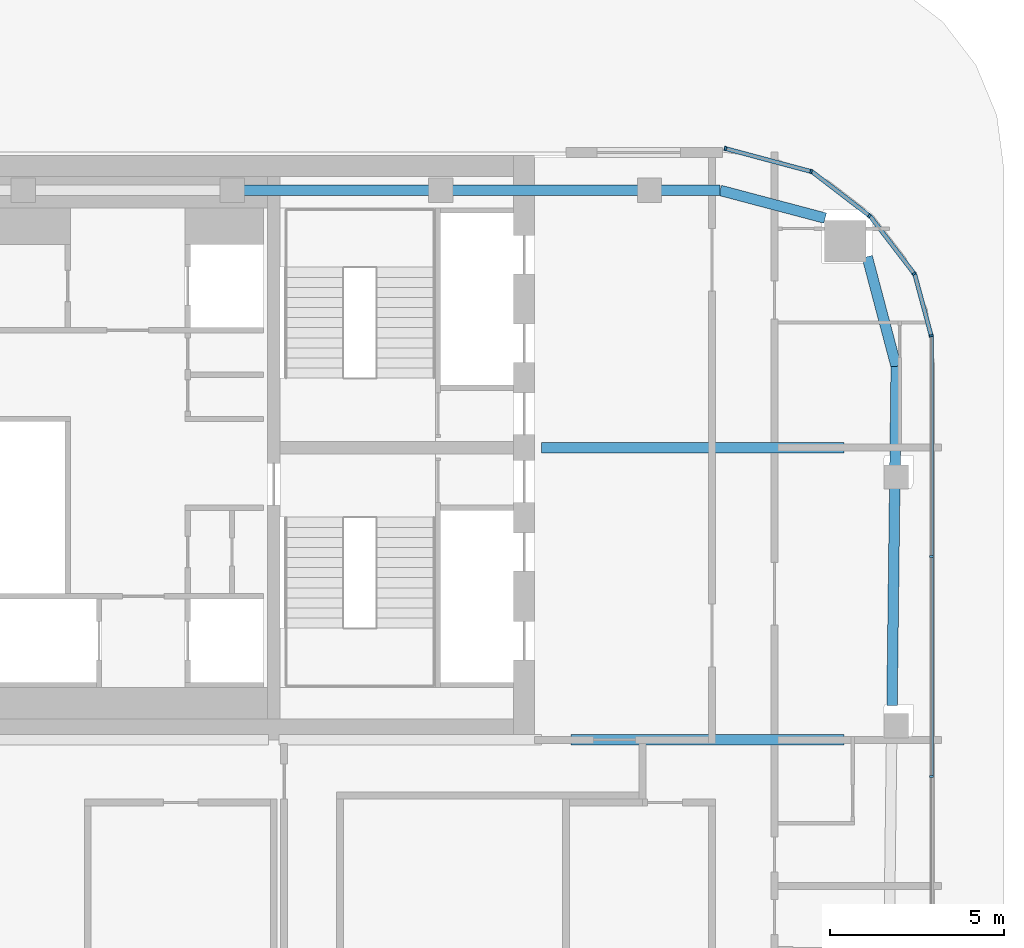
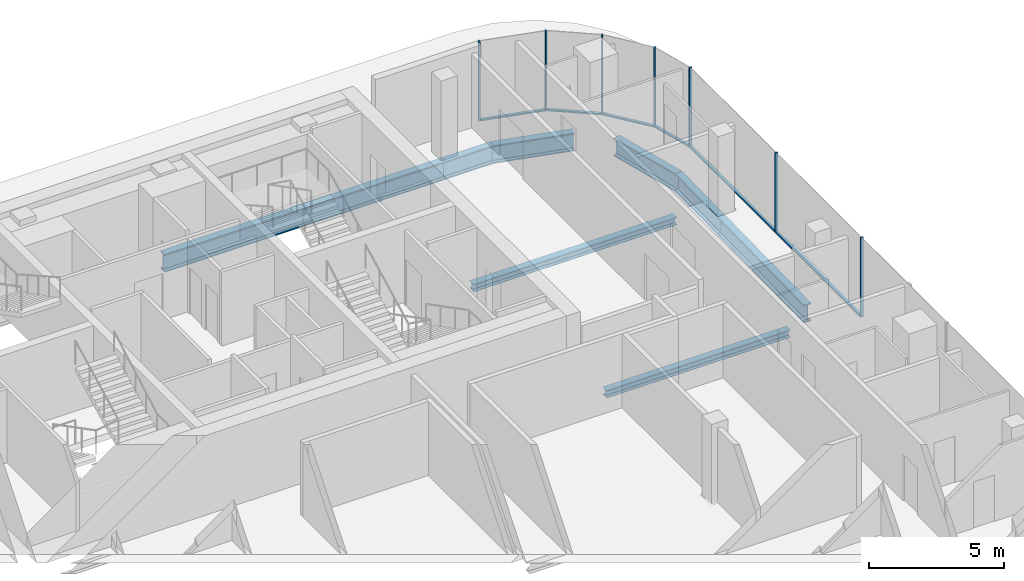
# One storey, part 11 of 21: 13 members, 9 beams, 5 elements without a shape of their own.
"""IFC4 building model written with IfcOpenShell, lengths in metres."""

import ifcopenshell
import ifcopenshell.guid

model = None  # the IFC model being written
_history = None  # IfcOwnerHistory: only IFC2X3 demands one
_inside = {}  # id of a spatial element -> (the spatial element, [elements in it])
_under = {}  # id of a project, library or spatial element -> (it, [spatial elements below it])
_declared = {}  # id of a project -> (the project, [libraries it declares])
_typed = {}  # id of a type object -> (the type object, [elements of that type])
_made_of = {}  # id of a material, layer set ... -> (it, [elements and type objects made of it])


def new_model(schema):
    """Start an empty IFC model of exactly this schema.

    Asked for "IFC4X3", IfcOpenShell would pick the latest addendum, in which some entities
    have other attributes; the version numbers below select the first issue.
    IFC2X3 requires an IfcOwnerHistory on every rooted entity: one is made here for all.
    """
    global model, _history
    if schema == "IFC4X3":
        model = ifcopenshell.file(schema_version=(4, 3, 0, 0))
    else:
        model = ifcopenshell.file(schema=schema)
    _inside.clear()
    _under.clear()
    _declared.clear()
    _typed.clear()
    _made_of.clear()
    _history = None
    if model.schema == "IFC2X3":
        org = make("IfcOrganization", Name="unknown")
        user = make(
            "IfcPersonAndOrganization",
            ThePerson=make("IfcPerson", FamilyName="unknown"),
            TheOrganization=org,
        )
        app = make(
            "IfcApplication",
            ApplicationDeveloper=org,
            Version="unknown",
            ApplicationFullName="unknown",
            ApplicationIdentifier="unknown",
        )
        _history = make(
            "IfcOwnerHistory",
            OwningUser=user,
            OwningApplication=app,
            ChangeAction="ADDED",
            CreationDate=0,
        )
    return model


def make(cls, **values):
    """One entity of the class cls with the attributes given. An attribute that is None is left unset."""
    return model.create_entity(
        cls, **{name: value for name, value in values.items() if value is not None}
    )


def rooted(cls, **values):
    """An entity with a GlobalId (a new one), such as an element, a storey or a relation."""
    return make(cls, GlobalId=ifcopenshell.guid.new(), OwnerHistory=_history, **values)


def si_unit(unit_type, name, prefix=None):
    """IfcSIUnit, for example si_unit("LENGTHUNIT", "METRE", prefix="MILLI")."""
    return make("IfcSIUnit", UnitType=unit_type, Prefix=prefix, Name=name)


def assignment(units):
    """IfcUnitAssignment: the units of a project."""
    return None if units is None else make("IfcUnitAssignment", Units=units)


def point(xyz):
    """IfcCartesianPoint."""
    return None if xyz is None else make("IfcCartesianPoint", Coordinates=xyz)


def direction(xyz):
    """IfcDirection."""
    return None if xyz is None else make("IfcDirection", DirectionRatios=xyz)


def frame(location, z_axis=None, x_axis=None):
    """IfcAxis2Placement3D, a coordinate frame: its origin and axes. An axis left out is left unset."""
    return make(
        "IfcAxis2Placement3D",
        Location=point(location),
        Axis=direction(z_axis),
        RefDirection=direction(x_axis),
    )


def frame_2d(location, x_axis=None):
    """IfcAxis2Placement2D, a coordinate frame in the plane: its origin and x axis."""
    return make(
        "IfcAxis2Placement2D", Location=point(location), RefDirection=direction(x_axis)
    )


def origin():
    """The frame at (0, 0, 0) with its axes left unset."""
    return frame((0.0, 0.0, 0.0))


def origin_2d():
    """The frame at (0, 0) in the plane with its x axis left unset."""
    return frame_2d((0.0, 0.0))


def place(relative_to, where):
    """IfcLocalPlacement: puts the frame where relative to a parent placement (None: the world)."""
    return make(
        "IfcLocalPlacement", PlacementRelTo=relative_to, RelativePlacement=where
    )


def context(
    kind, dimensions, precision=None, world=None, true_north=None, identifier=None
):
    """IfcGeometricRepresentationContext, for example the 3D "Model" context."""
    return make(
        "IfcGeometricRepresentationContext",
        ContextIdentifier=identifier,
        ContextType=kind,
        CoordinateSpaceDimension=dimensions,
        Precision=precision,
        WorldCoordinateSystem=world,
        TrueNorth=true_north,
    )


def subcontext(parent, identifier, kind, view, scale=None):
    """IfcGeometricRepresentationSubContext, for example "Body" below "Model"."""
    return make(
        "IfcGeometricRepresentationSubContext",
        ContextIdentifier=identifier,
        ContextType=kind,
        ParentContext=parent,
        TargetScale=scale,
        TargetView=view,
    )


def project(units=None, contexts=None):
    """IfcProject with its units and contexts."""
    return rooted(
        "IfcProject",
        Name="project",
        RepresentationContexts=contexts,
        UnitsInContext=assignment(units),
    )


def spatial(cls, under=None, at=None, **own):
    """A site, building, storey or space (cls), placed at a placement, below another one or the project."""
    s = rooted(cls, ObjectPlacement=at, **own)
    if under is not None:
        _under.setdefault(under.id(), (under, []))[1].append(s)
    return s


def profile(cls, at=None, kind="AREA", **sizes):
    """A parametric profile (cls). Its sizes go by their IFC names, for example OverallWidth=200.0."""
    return make(cls, ProfileType=kind, Position=at, **sizes)


def rectangle(**sizes):
    """IfcRectangleProfileDef."""
    return profile("IfcRectangleProfileDef", **sizes)


def i_section(**sizes):
    """IfcIShapeProfileDef."""
    return profile("IfcIShapeProfileDef", **sizes)


def extrude(swept, where, along, depth):
    """IfcExtrudedAreaSolid: the profile swept, set in the frame where, extruded along a direction by depth."""
    return make(
        "IfcExtrudedAreaSolid",
        SweptArea=swept,
        Position=where,
        ExtrudedDirection=direction(along),
        Depth=depth,
    )


def shape(context_of_items, identifier, shape_type, items):
    """IfcShapeRepresentation: the items that make up one representation, for example the "Body"."""
    return make(
        "IfcShapeRepresentation",
        ContextOfItems=context_of_items,
        RepresentationIdentifier=identifier,
        RepresentationType=shape_type,
        Items=items,
    )


def material(Name=None, Category=None):
    """IfcMaterial."""
    return make("IfcMaterial", Name=Name, Category=Category)


def layer(
    of_material, thickness, ventilated=None, Name=None, Category=None, Priority=None
):
    """IfcMaterialLayer: one layer of a wall or slab, of a material (None: an air gap)."""
    return make(
        "IfcMaterialLayer",
        Material=of_material,
        LayerThickness=thickness,
        IsVentilated=ventilated,
        Name=Name,
        Category=Category,
        Priority=Priority,
    )


def layer_set(layers, Name=None):
    """IfcMaterialLayerSet."""
    return make("IfcMaterialLayerSet", MaterialLayers=layers, LayerSetName=Name)


def material_profile(
    of_material, cross_section, Name=None, Category=None, Priority=None
):
    """IfcMaterialProfile: a cross section and its material."""
    return make(
        "IfcMaterialProfile",
        Name=Name,
        Material=of_material,
        Profile=cross_section,
        Priority=Priority,
        Category=Category,
    )


def profile_set(profiles, Name=None, composite=None):
    """IfcMaterialProfileSet."""
    return make(
        "IfcMaterialProfileSet",
        Name=Name,
        MaterialProfiles=profiles,
        CompositeProfile=composite,
    )


def made_of(thing, what):
    """Note that an element or type object is made of a material, layer set ...; save() writes the relation."""
    if what is not None:
        _made_of.setdefault(what.id(), (what, []))[1].append(thing)
    return thing


def type_object(cls, material=None, **own):
    """A type object (cls), such as IfcWallType, which elements share."""
    return made_of(rooted(cls, **own), material)


def element(
    cls,
    number,
    at=None,
    inside=None,
    cuts=None,
    type_object=None,
    material=None,
    context=None,
    identifier="Body",
    shape_type=None,
    held_by="IfcProductDefinitionShape",
    body=None,
    shapes=None,
    **own,
):
    """One element of the class cls, such as IfcWall. Its Tag is "e" and its number.

    at: its placement. inside: the storey or other place that contains it. cuts: it is an
    opening in that element (IfcRelVoidsElement). A single representation is given by context,
    identifier, shape_type and body (its items); several are given by shapes. held_by: the class
    of the entity that holds the representations. save() writes the other relations.
    """
    e = rooted(cls, Tag="e%d" % number, ObjectPlacement=at, **own)
    if body is not None:
        shapes = [shape(context, identifier, shape_type, body)]
    if shapes is not None:
        e.Representation = make(held_by, Representations=shapes)
    if inside is not None:
        _inside.setdefault(inside.id(), (inside, []))[1].append(e)
    if cuts is not None:
        rooted(
            "IfcRelVoidsElement", RelatingBuildingElement=cuts, RelatedOpeningElement=e
        )
    if type_object is not None:
        _typed.setdefault(type_object.id(), (type_object, []))[1].append(e)
    return made_of(e, material)


def aggregate(whole, parts):
    """IfcRelAggregates: a whole, such as a stair, and the parts it consists of."""
    return rooted("IfcRelAggregates", RelatingObject=whole, RelatedObjects=parts)


def save(model, path):
    """Write the relations noted so far, then the file.

    IfcRelAggregates (storeys below a building ...), IfcRelContainedInSpatialStructure (elements
    in a storey), IfcRelDefinesByType, IfcRelAssociatesMaterial and IfcRelDeclares: one each for
    every whole, place, type object, material and project.
    """
    for whole, parts in _under.values():
        aggregate(whole, parts)
    for where, things in _inside.values():
        rooted(
            "IfcRelContainedInSpatialStructure",
            RelatedElements=things,
            RelatingStructure=where,
        )
    for kind, things in _typed.values():
        rooted("IfcRelDefinesByType", RelatedObjects=things, RelatingType=kind)
    for what, things in _made_of.values():
        rooted("IfcRelAssociatesMaterial", RelatedObjects=things, RelatingMaterial=what)
    for by, libraries in _declared.values():
        rooted("IfcRelDeclares", RelatingContext=by, RelatedDefinitions=libraries)
    model.write(path)


model = new_model("IFC4")

# Units and contexts
model_context = context("Model", 3, precision=1e-05, world=origin(), true_north=direction((0.0, 1.0)))
body_context = subcontext(model_context, "Body", "Model", "MODEL_VIEW")
ifc_project = project(units=[si_unit("LENGTHUNIT", "METRE"), si_unit("AREAUNIT", "SQUARE_METRE"), si_unit("VOLUMEUNIT", "CUBIC_METRE"), si_unit("PLANEANGLEUNIT", "RADIAN"), si_unit("MASSUNIT", "GRAM", prefix="KILO")], contexts=[model_context])

# Site, building, storey
site_placement = place(None, origin())
site = spatial("IfcSite", under=ifc_project, at=site_placement, CompositionType="ELEMENT")
building_placement = place(site_placement, origin())
building = spatial("IfcBuilding", under=site, at=building_placement, Name="Marenta Gate Hotel Tower", CompositionType="ELEMENT")
storey_placement = place(building_placement, frame((0.0, 0.0, 266.89990234375)))
storey = spatial("IfcBuildingStorey", under=building, at=storey_placement, Name="L61", CompositionType="ELEMENT", Elevation=266.89990234375)

# Beams
ifc_material_1 = material(Name="Steel S355", Category="steel")
ifc_material_profile_1 = material_profile(ifc_material_1, i_section(OverallWidth=0.302978515625, OverallDepth=0.81396484375, WebThickness=0.030029296875, FlangeThickness=0.052001953125, FilletRadius=0.030029296875, at=origin_2d()), Name="HEM 800")
ifc_profile_set_1 = profile_set([ifc_material_profile_1], Name="Steel S355")
beam_type_1 = type_object("IfcBeamType", Name="Edge beam HEM 800", PredefinedType="SPANDREL", material=ifc_profile_set_1)
for number, where, z_axis, x_axis, name in (
    (1, (2.96142578125, 15.800048828125, -0.6669921875), (1.0, 0.0, 0.0), (0.0, 1.0, 0.0), "L61-EB-17"),
    (2, (8.964111328125, 15.800048828125, -0.6669921875), (1.0, 0.0, 0.0), (0.0, 1.0, 0.0), "L61-EB-18"),
):
    element("IfcBeam", number, at=place(storey_placement, frame(where, z_axis=z_axis, x_axis=x_axis)), inside=storey, type_object=beam_type_1, Name=name, PredefinedType="SPANDREL", context=body_context, shape_type="SweptSolid", body=[
        extrude(i_section(OverallWidth=0.302978515625, OverallDepth=0.81396484375, WebThickness=0.030029296875, FlangeThickness=0.052001953125, FilletRadius=0.030029296875, at=origin_2d()), origin(), (0.0, 0.0, 1.0), 6.082763671875),
    ])
beam_1_placement = place(storey_placement, frame((14.966796875, 15.800048828125, -0.6669921875), z_axis=(1.0, 0.0, 0.0), x_axis=(0.0, 1.0, 0.0)))
element("IfcBeam", 3, at=beam_1_placement, inside=storey, type_object=beam_type_1, Name="L61-EB-19", PredefinedType="SPANDREL", context=body_context, shape_type="SweptSolid", body=[
    extrude(i_section(OverallWidth=0.302978515625, OverallDepth=0.81396484375, WebThickness=0.030029296875, FlangeThickness=0.052001953125, FilletRadius=0.030029296875, at=origin_2d()), origin(), (0.0, 0.0, 1.0), 2.067626953125),
])
beam_2_placement = place(storey_placement, frame((17.034423828125, 15.800048828125, -0.6669921875), z_axis=(0.96676317432, -0.255673551192, 0.0), x_axis=(0.255673551192, 0.96676317432, 0.0)))
element("IfcBeam", 4, at=beam_2_placement, inside=storey, type_object=beam_type_1, Name="L61-EB-20", PredefinedType="SPANDREL", context=body_context, shape_type="SweptSolid", body=[
    extrude(i_section(OverallWidth=0.302978515625, OverallDepth=0.81396484375, WebThickness=0.030029296875, FlangeThickness=0.052001953125, FilletRadius=0.030029296875, at=origin_2d()), origin(), (0.0, 0.0, 1.0), 3.125244140625),
])
beam_3_placement = place(storey_placement, frame((21.26513671875, 13.891845703125, -0.6669921875), z_axis=(0.255652161273, -0.966768830919, 0.0), x_axis=(0.966768830919, 0.255652161273, 0.0)))
element("IfcBeam", 5, at=beam_3_placement, inside=storey, type_object=beam_type_1, Name="L61-EB-21", PredefinedType="SPANDREL", context=body_context, shape_type="SweptSolid", body=[
    extrude(i_section(OverallWidth=0.302978515625, OverallDepth=0.81396484375, WebThickness=0.030029296875, FlangeThickness=0.052001953125, FilletRadius=0.030029296875, at=origin_2d()), origin(), (0.0, 0.0, 1.0), 3.26611328125),
])
beam_4_placement = place(storey_placement, frame((22.10009765625, 10.734375, -0.6669921875), z_axis=(-0.01236721559, -0.999923523065, 0.0), x_axis=(0.999923523065, -0.01236721559, 0.0)))
element("IfcBeam", 6, at=beam_4_placement, inside=storey, type_object=beam_type_1, Name="L61-EB-22", PredefinedType="SPANDREL", context=body_context, shape_type="SweptSolid", body=[
    extrude(i_section(OverallWidth=0.302978515625, OverallDepth=0.81396484375, WebThickness=0.030029296875, FlangeThickness=0.052001953125, FilletRadius=0.030029296875, at=origin_2d()), origin(), (0.0, 0.0, 1.0), 3.2177734375),
])
beam_5_placement = place(storey_placement, frame((22.061279296875, 7.596923828125, -0.6669921875), z_axis=(-0.012361135297, -0.999923598248, 0.0), x_axis=(0.999923598248, -0.012361135297, 0.0)))
element("IfcBeam", 7, at=beam_5_placement, inside=storey, type_object=beam_type_1, Name="L61-EB-23", PredefinedType="SPANDREL", context=body_context, shape_type="SweptSolid", body=[
    extrude(i_section(OverallWidth=0.302978515625, OverallDepth=0.81396484375, WebThickness=0.030029296875, FlangeThickness=0.052001953125, FilletRadius=0.030029296875, at=origin_2d()), origin(), (0.0, 0.0, 1.0), 6.616455078125),
])
ifc_material_2 = material(Name="Steel S355", Category="steel")
ifc_material_profile_2 = material_profile(ifc_material_2, i_section(OverallWidth=0.300048828125, OverallDepth=0.340087890625, WebThickness=0.011962890625, FlangeThickness=0.021484375, FilletRadius=0.027099609375, at=origin_2d()), Name="HEB 340")
ifc_profile_set_2 = profile_set([ifc_material_profile_2], Name="Steel S355")
beam_type_2 = type_object("IfcBeamType", Name="Girder HEB 340", PredefinedType="BEAM", material=ifc_profile_set_2)
beam_6_placement = place(storey_placement, frame((12.75146484375, 0.0, -0.429931640625), z_axis=(1.0, 0.0, 0.0), x_axis=(0.0, 1.0, 0.0)))
element("IfcBeam", 8, at=beam_6_placement, inside=storey, type_object=beam_type_2, Name="L61-GD-21", PredefinedType="BEAM", context=body_context, shape_type="SweptSolid", body=[
    extrude(i_section(OverallWidth=0.300048828125, OverallDepth=0.340087890625, WebThickness=0.011962890625, FlangeThickness=0.021484375, FilletRadius=0.027099609375, at=origin_2d()), origin(), (0.0, 0.0, 1.0), 7.8486328125),
])
beam_7_placement = place(storey_placement, frame((11.89990234375, 8.39990234375, -0.429931640625), z_axis=(1.0, 0.0, 0.0), x_axis=(0.0, 1.0, 0.0)))
element("IfcBeam", 9, at=beam_7_placement, inside=storey, type_object=beam_type_2, Name="L61-GD-23", PredefinedType="BEAM", context=body_context, shape_type="SweptSolid", body=[
    extrude(i_section(OverallWidth=0.300048828125, OverallDepth=0.340087890625, WebThickness=0.011962890625, FlangeThickness=0.021484375, FilletRadius=0.027099609375, at=origin_2d()), origin(), (0.0, 0.0, 1.0), 8.7001953125),
])

# Curtain wall, members
ifc_material_3 = material(Name="Tinted insulated glass in bronze anodised frame", Category="glass")
ifc_layer = layer(ifc_material_3, 0.1201171875)
ifc_layer_set = layer_set([ifc_layer], Name="Tinted insulated glass in bronze anodised frame")
curtain_wall_type = type_object("IfcCurtainWallType", Name="Tower unitised curtain wall CW1", PredefinedType="NOTDEFINED", material=ifc_layer_set)
curtain_wall_1_placement = place(storey_placement, origin())
curtain_wall_1 = element("IfcCurtainWall", 10, at=curtain_wall_1_placement, inside=storey, type_object=curtain_wall_type, Name="CW1 run G11", PredefinedType="NOTDEFINED")
ifc_material_4 = material(Name="Bronze anodised aluminium", Category="aluminium")
ifc_material_profile_3 = material_profile(ifc_material_4, rectangle(XDim=0.1201171875, YDim=0.06005859375, at=origin_2d()), Name="Mullion CW1 60x120 bronze anodised aluminium")
ifc_profile_set_3 = profile_set([ifc_material_profile_3], Name="Bronze anodised aluminium")
member_type_1 = type_object("IfcMemberType", Name="Mullion CW1 60x120 bronze anodised aluminium", PredefinedType="MULLION", material=ifc_profile_set_3)
member_1_placement = place(storey_placement, frame((23.114013671875, -1.053466796875, 0.0), z_axis=(0.0, 0.0, 1.0), x_axis=(-1.0, 0.0, 0.0)))
member_1 = element("IfcMember", 11, at=member_1_placement, type_object=member_type_1, Name="CW1 mullion 5", PredefinedType="MULLION", context=body_context, shape_type="SweptSolid", body=[
    extrude(rectangle(XDim=0.1201171875, YDim=0.06005859375, at=origin_2d()), origin(), (0.0, 0.0, 1.0), 3.60009765625),
])
member_2_placement = place(storey_placement, frame((23.114013671875, 5.269287109375, 0.0), z_axis=(0.0, 0.0, 1.0), x_axis=(-1.0, 0.0, 0.0)))
member_2 = element("IfcMember", 12, at=member_2_placement, type_object=member_type_1, Name="CW1 mullion 6", PredefinedType="MULLION", context=body_context, shape_type="SweptSolid", body=[
    extrude(rectangle(XDim=0.1201171875, YDim=0.06005859375, at=origin_2d()), origin(), (0.0, 0.0, 1.0), 3.60009765625),
])

# Curtain wall, member
curtain_wall_2_placement = place(storey_placement, origin())
curtain_wall_2 = element("IfcCurtainWall", 13, at=curtain_wall_2_placement, inside=storey, type_object=curtain_wall_type, Name="CW1 run G12", PredefinedType="NOTDEFINED")
member_3_placement = place(storey_placement, frame((23.106201171875, 11.620849609375, 0.0), z_axis=(0.0, 0.0, 1.0), x_axis=(-0.965924453932, -0.258824166754, 0.0)))
member_3 = element("IfcMember", 14, at=member_3_placement, type_object=member_type_1, Name="CW1 mullion 1", PredefinedType="MULLION", context=body_context, shape_type="SweptSolid", body=[
    extrude(rectangle(XDim=0.1201171875, YDim=0.06005859375, at=origin_2d()), origin(), (0.0, 0.0, 1.0), 3.60009765625),
])

curtain_wall_3_placement = place(storey_placement, origin())
curtain_wall_3 = element("IfcCurtainWall", 15, at=curtain_wall_3_placement, inside=storey, type_object=curtain_wall_type, Name="CW1 run G13", PredefinedType="NOTDEFINED")
member_4_placement = place(storey_placement, frame((22.615966796875, 13.40625, 0.0), z_axis=(0.0, 0.0, 1.0), x_axis=(-0.793333335233, -0.608787499222, 0.0)))
member_4 = element("IfcMember", 16, at=member_4_placement, type_object=member_type_1, Name="CW1 mullion 1", PredefinedType="MULLION", context=body_context, shape_type="SweptSolid", body=[
    extrude(rectangle(XDim=0.1201171875, YDim=0.06005859375, at=origin_2d()), origin(), (0.0, 0.0, 1.0), 3.60009765625),
])

curtain_wall_4_placement = place(storey_placement, origin())
curtain_wall_4 = element("IfcCurtainWall", 17, at=curtain_wall_4_placement, inside=storey, type_object=curtain_wall_type, Name="CW1 run G14", PredefinedType="NOTDEFINED")
member_5_placement = place(storey_placement, frame((21.328857421875, 15.07080078125, 0.0), z_axis=(0.0, 0.0, 1.0), x_axis=(-0.608787499222, -0.793333335233, 0.0)))
member_5 = element("IfcMember", 18, at=member_5_placement, type_object=member_type_1, Name="CW1 mullion 1", PredefinedType="MULLION", context=body_context, shape_type="SweptSolid", body=[
    extrude(rectangle(XDim=0.1201171875, YDim=0.06005859375, at=origin_2d()), origin(), (0.0, 0.0, 1.0), 3.60009765625),
])

# Curtain wall, members
curtain_wall_5_placement = place(storey_placement, origin())
curtain_wall_5 = element("IfcCurtainWall", 19, at=curtain_wall_5_placement, inside=storey, type_object=curtain_wall_type, Name="CW1 run G15", PredefinedType="NOTDEFINED")
member_6_placement = place(storey_placement, frame((19.653564453125, 16.342041015625, 0.0), z_axis=(0.0, 0.0, 1.0), x_axis=(-0.258804895175, -0.96592961764, 0.0)))
member_6 = element("IfcMember", 20, at=member_6_placement, type_object=member_type_1, Name="CW1 mullion 1", PredefinedType="MULLION", context=body_context, shape_type="SweptSolid", body=[
    extrude(rectangle(XDim=0.1201171875, YDim=0.06005859375, at=origin_2d()), origin(), (0.0, 0.0, 1.0), 3.60009765625),
])
member_7_placement = place(storey_placement, frame((17.185546875, 17.003173828125, 0.0), z_axis=(0.0, 0.0, 1.0), x_axis=(-0.258804895175, -0.96592961764, 0.0)))
member_7 = element("IfcMember", 21, at=member_7_placement, type_object=member_type_1, Name="CW1 mullion 2", PredefinedType="MULLION", context=body_context, shape_type="SweptSolid", body=[
    extrude(rectangle(XDim=0.1201171875, YDim=0.06005859375, at=origin_2d()), origin(), (0.0, 0.0, 1.0), 3.60009765625),
])

# Member
ifc_material_5 = material(Name="Bronze anodised aluminium", Category="aluminium")
ifc_material_profile_4 = material_profile(ifc_material_5, rectangle(XDim=0.1201171875, YDim=0.06005859375, at=origin_2d()), Name="Transom CW1 60x120 bronze anodised aluminium")
ifc_profile_set_4 = profile_set([ifc_material_profile_4], Name="Bronze anodised aluminium")
member_type_2 = type_object("IfcMemberType", Name="Transom CW1 60x120 bronze anodised aluminium", PredefinedType="USERDEFINED", material=ifc_profile_set_4)
member_8_placement = place(storey_placement, frame((23.114013671875, -1.0234375, 0.030029296875), z_axis=(0.0, 1.0, 0.0), x_axis=(-1.0, 0.0, 0.0)))
member_8 = element("IfcMember", 22, at=member_8_placement, type_object=member_type_2, Name="CW1 transom 5.1", ObjectType="TRANSOM", PredefinedType="USERDEFINED", context=body_context, shape_type="SweptSolid", body=[
    extrude(rectangle(XDim=0.1201171875, YDim=0.06005859375, at=origin_2d()), origin(), (0.0, 0.0, 1.0), 6.2626953125),
])

member_9_placement = place(storey_placement, frame((23.114013671875, 5.29931640625, 0.030029296875), z_axis=(0.0, 1.0, 0.0), x_axis=(-1.0, 0.0, 0.0)))
member_9 = element("IfcMember", 23, at=member_9_placement, type_object=member_type_2, Name="CW1 transom 6.1", ObjectType="TRANSOM", PredefinedType="USERDEFINED", context=body_context, shape_type="SweptSolid", body=[
    extrude(rectangle(XDim=0.1201171875, YDim=0.06005859375, at=origin_2d()), origin(), (0.0, 0.0, 1.0), 6.29248046875),
])

aggregate(curtain_wall_1, [member_1, member_2, member_8, member_9])

member_10_placement = place(storey_placement, frame((23.098388671875, 11.64990234375, 0.030029296875), z_axis=(-0.258738352989, 0.965947444063, 0.0), x_axis=(-0.965947444063, -0.258738352989, 0.0)))
member_10 = element("IfcMember", 24, at=member_10_placement, type_object=member_type_2, Name="CW1 transom 1.1", ObjectType="TRANSOM", PredefinedType="USERDEFINED", context=body_context, shape_type="SweptSolid", body=[
    extrude(rectangle(XDim=0.1201171875, YDim=0.06005859375, at=origin_2d()), origin(), (0.0, 0.0, 1.0), 1.793701171875),
])

aggregate(curtain_wall_2, [member_3, member_10])

member_11_placement = place(storey_placement, frame((22.59765625, 13.43017578125, 0.030029296875), z_axis=(-0.608844993447, 0.79328921205, 0.0), x_axis=(-0.79328921205, -0.608844993447, 0.0)))
member_11 = element("IfcMember", 25, at=member_11_placement, type_object=member_type_2, Name="CW1 transom 1.1", ObjectType="TRANSOM", PredefinedType="USERDEFINED", context=body_context, shape_type="SweptSolid", body=[
    extrude(rectangle(XDim=0.1201171875, YDim=0.06005859375, at=origin_2d()), origin(), (0.0, 0.0, 1.0), 2.045166015625),
])

aggregate(curtain_wall_3, [member_4, member_11])

member_12_placement = place(storey_placement, frame((21.304931640625, 15.089111328125, 0.030029296875), z_axis=(-0.79328921205, 0.608844993447, 0.0), x_axis=(-0.608844993447, -0.79328921205, 0.0)))
member_12 = element("IfcMember", 26, at=member_12_placement, type_object=member_type_2, Name="CW1 transom 1.1", ObjectType="TRANSOM", PredefinedType="USERDEFINED", context=body_context, shape_type="SweptSolid", body=[
    extrude(rectangle(XDim=0.1201171875, YDim=0.06005859375, at=origin_2d()), origin(), (0.0, 0.0, 1.0), 2.045166015625),
])

aggregate(curtain_wall_4, [member_5, member_12])

member_13_placement = place(storey_placement, frame((19.62451171875, 16.349609375, 0.030029296875), z_axis=(-0.965930582093, 0.258801295547, 0.0), x_axis=(-0.258801295547, -0.965930582093, 0.0)))
member_13 = element("IfcMember", 27, at=member_13_placement, type_object=member_type_2, Name="CW1 transom 1.1", ObjectType="TRANSOM", PredefinedType="USERDEFINED", context=body_context, shape_type="SweptSolid", body=[
    extrude(rectangle(XDim=0.1201171875, YDim=0.06005859375, at=origin_2d()), origin(), (0.0, 0.0, 1.0), 2.4951171875),
])

aggregate(curtain_wall_5, [member_6, member_7, member_13])

save(model, "model.ifc")
